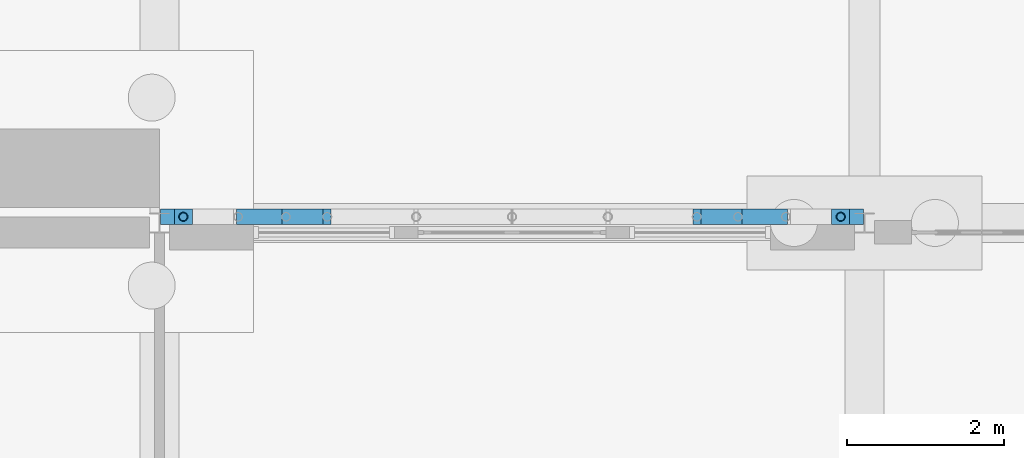
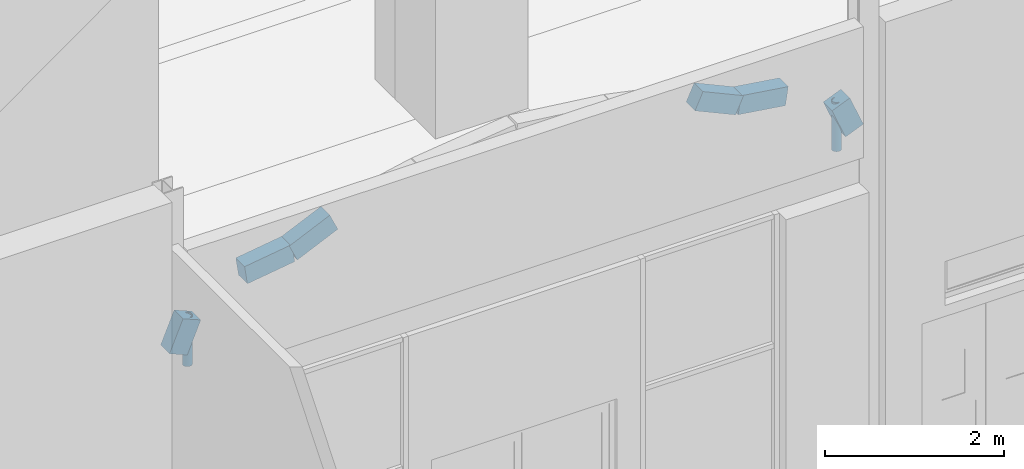
# One storey, part 70 of 250: 6 beams, 2 members.
"""IFC4 building model written with IfcOpenShell, lengths in metres."""

from ifc_helpers import new_model, si_unit, direction, frame, origin, origin_2d, place, context, subcontext, project, spatial, rectangle, hollow_circle, extrude, material, material_profile, profile_set, type_object, element, save


model = new_model("IFC4")

# Units and contexts
model_context = context("Model", 3, precision=1e-05, world=origin(), true_north=direction((0.0, 1.0)))
body_context = subcontext(model_context, "Body", "Model", "MODEL_VIEW")
ifc_project = project(units=[si_unit("LENGTHUNIT", "METRE"), si_unit("AREAUNIT", "SQUARE_METRE"), si_unit("VOLUMEUNIT", "CUBIC_METRE"), si_unit("PLANEANGLEUNIT", "RADIAN"), si_unit("MASSUNIT", "GRAM", prefix="KILO")], contexts=[model_context])

# Site, building, storey
site_placement = place(None, origin())
site = spatial("IfcSite", under=ifc_project, at=site_placement, CompositionType="ELEMENT")
building_placement = place(site_placement, origin())
building = spatial("IfcBuilding", under=site, at=building_placement, Name="Baradari Gate Terminus", CompositionType="ELEMENT")
storey_placement = place(building_placement, origin())
storey = spatial("IfcBuildingStorey", under=building, at=storey_placement, Name="L00", CompositionType="ELEMENT", Elevation=0.0)

# Members
ifc_material_1 = material(Name="Steel S355", Category="steel")
ifc_material_profile_1 = material_profile(ifc_material_1, hollow_circle(Radius=0.05712890625, WallThickness=0.00634765625, at=origin_2d()), Name="CHS 114.3x6.3")
ifc_profile_set_1 = profile_set([ifc_material_profile_1], Name="Steel S355")
member_type = type_object("IfcMemberType", Name="Arcade arch post SP-2 114x6.3", PredefinedType="POST", material=ifc_profile_set_1)
for number, where, z_axis, x_axis, name in (
    (1, (171.302978515625, 108.07861328125, 4.89990234375), (0.0, 0.0, 1.0), (1.0, 0.0, 0.0), "Arcade arch post 19.2"),
    (2, (179.697021484375, 108.07861328125, 4.89990234375), (0.0, 0.0, 1.0), (1.0, 0.0, 0.0), "Arcade arch post 19.12"),
):
    element("IfcMember", number, at=place(storey_placement, frame(where, z_axis=z_axis, x_axis=x_axis)), inside=storey, type_object=member_type, Name=name, PredefinedType="POST", context=body_context, shape_type="SweptSolid", body=[
        extrude(hollow_circle(Radius=0.05712890625, WallThickness=0.00634765625, at=origin_2d()), origin(), (0.0, 0.0, 1.0), 0.66796875),
    ])

# Beams
ifc_material_2 = material(Name="Concrete C40/50 precast", Category="concrete")
ifc_material_profile_2 = material_profile(ifc_material_2, rectangle(XDim=0.199951171875, YDim=0.25, at=origin_2d()), Name="AB-1 200X250")
ifc_profile_set_2 = profile_set([ifc_material_profile_2], Name="Concrete C40/50 precast")
beam_type = type_object("IfcBeamType", Name="Arcade arch segment AB-1 200x250", PredefinedType="BEAM", material=ifc_profile_set_2)
beam_1_placement = place(storey_placement, frame((171.128173828125, 108.07861328125, 5.14990234375), z_axis=(0.385839488106, 0.0, 0.922565926868), x_axis=(0.0, 1.0, 0.0)))
element("IfcBeam", 3, at=beam_1_placement, inside=storey, type_object=beam_type, Name="Arcade arch AB-1 bay 19 segment 1", PredefinedType="BEAM", context=body_context, shape_type="SweptSolid", body=[
    extrude(rectangle(XDim=0.199951171875, YDim=0.25, at=origin_2d()), origin(), (0.0, 0.0, 1.0), 0.453125),
])
beam_2_placement = place(storey_placement, frame((172.00244140625, 108.07861328125, 5.92578125), z_axis=(0.989454167091, 0.0, 0.144846302083), x_axis=(0.0, 1.0, 0.0)))
element("IfcBeam", 4, at=beam_2_placement, inside=storey, type_object=beam_type, Name="Arcade arch AB-1 bay 19 segment 3", PredefinedType="BEAM", context=body_context, shape_type="SweptSolid", body=[
    extrude(rectangle(XDim=0.199951171875, YDim=0.25, at=origin_2d()), origin(), (0.0, 0.0, 1.0), 0.61865234375),
])
for number, where, z_axis, x_axis, name in (
    (5, (172.614501953125, 108.07861328125, 6.015380859375), (0.910177822616, 0.0, 0.414217734071), (0.0, 1.0, 0.0), "Arcade arch AB-1 bay 19 segment 4"),
    (6, (177.86083984375, 108.07861328125, 6.254150390625), (0.910177822616, 0.0, -0.414217734071), (0.0, 1.0, 0.0), "Arcade arch AB-1 bay 19 segment 9"),
):
    element("IfcBeam", number, at=place(storey_placement, frame(where, z_axis=z_axis, x_axis=x_axis)), inside=storey, type_object=beam_type, Name=name, PredefinedType="BEAM", context=body_context, shape_type="SweptSolid", body=[
        extrude(rectangle(XDim=0.199951171875, YDim=0.25, at=origin_2d()), origin(), (0.0, 0.0, 1.0), 0.576416015625),
    ])
beam_3_placement = place(storey_placement, frame((178.385498046875, 108.07861328125, 6.015380859375), z_axis=(0.989454167091, 0.0, -0.144846302083), x_axis=(0.0, 1.0, 0.0)))
element("IfcBeam", 7, at=beam_3_placement, inside=storey, type_object=beam_type, Name="Arcade arch AB-1 bay 19 segment 10", PredefinedType="BEAM", context=body_context, shape_type="SweptSolid", body=[
    extrude(rectangle(XDim=0.199951171875, YDim=0.25, at=origin_2d()), origin(), (0.0, 0.0, 1.0), 0.61865234375),
])
beam_4_placement = place(storey_placement, frame((179.697021484375, 108.07861328125, 5.56787109375), z_axis=(0.385839488106, 0.0, -0.922565926868), x_axis=(0.0, 1.0, 0.0)))
element("IfcBeam", 8, at=beam_4_placement, inside=storey, type_object=beam_type, Name="Arcade arch AB-1 bay 19 segment 12", PredefinedType="BEAM", context=body_context, shape_type="SweptSolid", body=[
    extrude(rectangle(XDim=0.199951171875, YDim=0.25, at=origin_2d()), origin(), (0.0, 0.0, 1.0), 0.453125),
])

save(model, "model.ifc")
